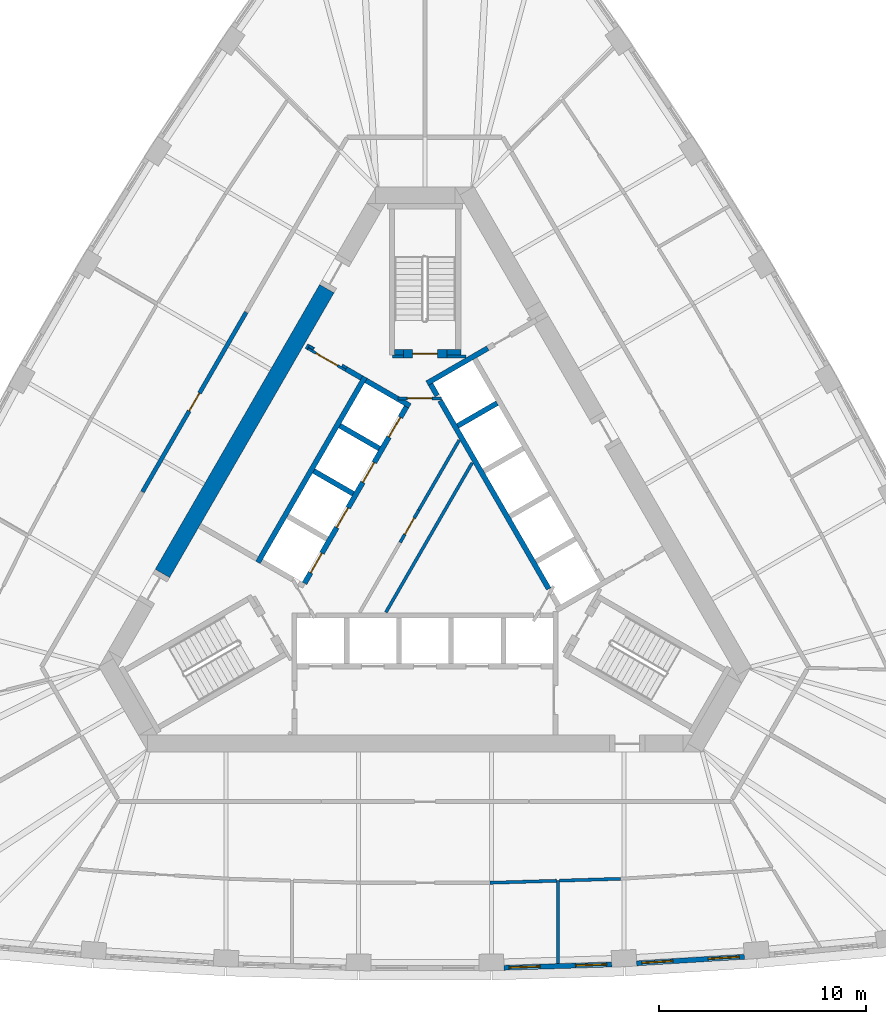
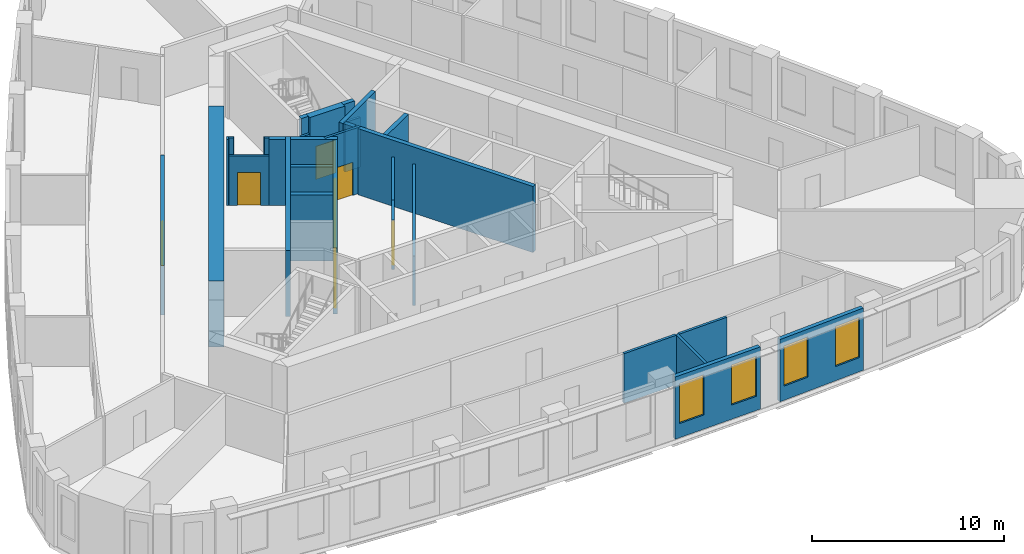
# One storey, part 5 of 10: 30 walls, 9 doors, 4 windows, 13 openings.
"""IFC4 building model written with IfcOpenShell, lengths in metres."""

from ifc_helpers import new_model, si_unit, direction, frame, frame_2d, origin, place, context, subcontext, project, spatial, polyline, rectangle, outline, extrude, material, layer, layer_set, type_object, element, fill, save


model = new_model("IFC4")

# Units and contexts
model_context = context("Model", 3, precision=1e-05, world=origin(), true_north=direction((0.0, 1.0)))
body_context = subcontext(model_context, "Body", "Model", "MODEL_VIEW")
ifc_project = project(units=[si_unit("LENGTHUNIT", "METRE"), si_unit("AREAUNIT", "SQUARE_METRE"), si_unit("VOLUMEUNIT", "CUBIC_METRE"), si_unit("PLANEANGLEUNIT", "RADIAN"), si_unit("MASSUNIT", "GRAM", prefix="KILO")], contexts=[model_context])

# Site, building, storey
site_placement = place(None, origin())
site = spatial("IfcSite", under=ifc_project, at=site_placement, CompositionType="ELEMENT")
building_placement = place(site_placement, origin())
building = spatial("IfcBuilding", under=site, at=building_placement, Name="Mestral Congress Tower", CompositionType="ELEMENT")
storey_placement = place(building_placement, frame((0.0, 0.0, 150.0)))
storey = spatial("IfcBuildingStorey", under=building, at=storey_placement, Name="L35", CompositionType="ELEMENT", Elevation=150.0)

# Walls
ifc_material_1 = material(Name="Fire-rated board partition")
ifc_layer_1 = layer(ifc_material_1, 0.14990234375)
ifc_layer_set_1 = layer_set([ifc_layer_1], Name="Fire-rated board partition")
wall_type_1 = type_object("IfcWallType", Name="Core partition 150", PredefinedType="PARTITIONING", material=ifc_layer_set_1)
wall_1_placement = place(storey_placement, frame((1.050048828125, 8.62548828125, 0.0), z_axis=(0.0, 0.0, 1.0), x_axis=(1.0, 0.0, 0.0)))
element("IfcWall", 1, at=wall_1_placement, inside=storey, type_object=wall_type_1, Name="L35 core wall", PredefinedType="PARTITIONING", context=body_context, shape_type="SweptSolid", body=[
    extrude(rectangle(XDim=0.9287109375, YDim=0.14990234375, at=frame_2d((0.46435546875, 0.0))), origin(), (0.0, 0.0, 1.0), 3.14990234375),
])
wall_2_placement = place(storey_placement, frame((-1.56396484375, 8.62548828125, 0.0), z_axis=(0.0, 0.0, 1.0), x_axis=(1.0, 0.0, 0.0)))
element("IfcWall", 2, at=wall_2_placement, inside=storey, type_object=wall_type_1, Name="L35 core wall", PredefinedType="PARTITIONING", context=body_context, shape_type="SweptSolid", body=[
    extrude(rectangle(XDim=0.513916015625, YDim=0.14990234375, at=frame_2d((0.2568359375, 0.0))), origin(), (0.0, 0.0, 1.0), 3.14990234375),
])
wall_3_placement = place(storey_placement, frame((-1.886962890625, -3.71826171875, 0.0), z_axis=(0.0, 0.0, 1.0), x_axis=(0.500005008002, 0.866022512394, 0.0)))
element("IfcWall", 3, at=wall_3_placement, inside=storey, type_object=wall_type_1, Name="L35 core wall", PredefinedType="PARTITIONING", context=body_context, shape_type="SweptSolid", body=[
    extrude(rectangle(XDim=8.3271484375, YDim=0.14990234375, at=frame_2d((4.16357421875, 0.0))), origin(), (0.0, 0.0, 1.0), 3.14990234375),
])
wall_4_placement = place(storey_placement, frame((-0.2998046875, 1.21240234375, 0.0), z_axis=(0.0, 0.0, 1.0), x_axis=(0.499963101113, 0.866046706318, 0.0)))
element("IfcWall", 4, at=wall_4_placement, inside=storey, type_object=wall_type_1, Name="L35 core wall", PredefinedType="PARTITIONING", context=body_context, shape_type="SweptSolid", body=[
    extrude(rectangle(XDim=3.893310546875, YDim=0.14990234375, at=frame_2d((1.94677734375, 0.0))), origin(), (0.0, 0.0, 1.0), 3.14990234375),
])

# Wall, opening, door
wall_5_placement = place(storey_placement, frame((-1.199951171875, -0.346435546875, 0.0), z_axis=(0.0, 0.0, 1.0), x_axis=(0.499961193289, 0.866047807691, 0.0)))
wall_5 = element("IfcWall", 5, at=wall_5_placement, inside=storey, type_object=wall_type_1, Name="L35 door wall", PredefinedType="PARTITIONING", context=body_context, shape_type="SweptSolid", body=[
    extrude(rectangle(XDim=1.800048828125, YDim=0.14990234375, at=frame_2d((0.89990234375, 0.0))), origin(), (0.0, 0.0, 1.0), 3.14990234375),
])
opening_1_placement = place(wall_5_placement, frame((0.449951171875, 0.0, 0.0)))
opening_1 = element("IfcOpeningElement", 6, at=opening_1_placement, cuts=wall_5, Name="Opening SD-HUB1", PredefinedType="OPENING", context=body_context, shape_type="SweptSolid", body=[
    extrude(rectangle(XDim=0.89990234375, YDim=2.10009765625, at=frame_2d((0.449951171875, 1.050048828125))), frame((0.0, 0.0849609375, 0.0), z_axis=(0.0, -1.0, 0.0), x_axis=(1.0, 0.0, 0.0)), (0.0, 0.0, 1.0), 0.169921875),
])
ifc_material_2 = material(Name="Fire-rated steel door set", Category="steel")
door_type_1 = type_object("IfcDoorType", Name="Core door SR 900x2100", OperationType="SINGLE_SWING_LEFT", PredefinedType="DOOR", material=ifc_material_2)
door_1_placement = place(opening_1_placement, origin())
door_1 = element("IfcDoor", 7, at=door_1_placement, inside=storey, type_object=door_type_1, Name="Door SD-HUB1", OperationType="SINGLE_SWING_LEFT", OverallHeight=2.10009765625, OverallWidth=0.89990234375, PredefinedType="DOOR", context=body_context, shape_type="SweptSolid", body=[
    extrude(rectangle(XDim=0.89990234375, YDim=2.10009765625, at=frame_2d((0.449951171875, 1.050048828125))), frame((0.0, 0.02490234375, 0.0), z_axis=(0.0, -1.0, 0.0), x_axis=(1.0, 0.0, 0.0)), (0.0, 0.0, 1.0), 0.050048828125),
])
fill(opening_1, door_1)

ifc_layer_2 = layer(ifc_material_1, 0.1201171875)
ifc_layer_set_2 = layer_set([ifc_layer_2], Name="Fire-rated board partition")
wall_type_2 = type_object("IfcWallType", Name="Core partition 150 door-wall 120", PredefinedType="PARTITIONING", material=ifc_layer_set_2)
wall_6_placement = place(storey_placement, frame((-5.65869140625, 9.01171875, 0.0), z_axis=(0.0, 0.0, 1.0), x_axis=(0.866009402589, -0.500027713859, 0.0)))
wall_6 = element("IfcWall", 8, at=wall_6_placement, inside=storey, type_object=wall_type_2, Name="L35 door wall", PredefinedType="PARTITIONING", context=body_context, shape_type="SweptSolid", body=[
    extrude(rectangle(XDim=2.10009765625, YDim=0.1201171875, at=frame_2d((1.050048828125, 0.0))), origin(), (0.0, 0.0, 1.0), 3.14990234375),
])
opening_2_placement = place(wall_6_placement, frame((0.449951171875, 0.0, 0.0)))
opening_2 = element("IfcOpeningElement", 9, at=opening_2_placement, cuts=wall_6, Name="Opening LB2-WL2", PredefinedType="OPENING", context=body_context, shape_type="SweptSolid", body=[
    extrude(rectangle(XDim=1.199951171875, YDim=2.10009765625, at=frame_2d((0.60009765625, 1.050048828125))), frame((0.0, 0.070068359375, 0.0), z_axis=(0.0, -1.0, 0.0), x_axis=(1.0, 0.0, 0.0)), (0.0, 0.0, 1.0), 0.14013671875),
])
door_type_2 = type_object("IfcDoorType", Name="Core door LB 1200x2100", OperationType="SINGLE_SWING_LEFT", PredefinedType="DOOR", material=ifc_material_2)
door_2_placement = place(opening_2_placement, origin())
door_2 = element("IfcDoor", 10, at=door_2_placement, inside=storey, type_object=door_type_2, Name="Door LB2-WL2", OperationType="SINGLE_SWING_LEFT", OverallHeight=2.10009765625, OverallWidth=1.199951171875, PredefinedType="DOOR", context=body_context, shape_type="SweptSolid", body=[
    extrude(rectangle(XDim=1.199951171875, YDim=2.10009765625, at=frame_2d((0.60009765625, 1.050048828125))), frame((0.0, 0.02490234375, 0.0), z_axis=(0.0, -1.0, 0.0), x_axis=(1.0, 0.0, 0.0)), (0.0, 0.0, 1.0), 0.050048828125),
])
fill(opening_2, door_2)

# Wall
ifc_material_3 = material(Name="Concrete C60/75", Category="concrete")
ifc_layer_3 = layer(ifc_material_3, 0.800048828125)
ifc_layer_set_3 = layer_set([ifc_layer_3], Name="Concrete C60/75")
wall_type_3 = type_object("IfcWallType", Name="Core wall RC 800", PredefinedType="SOLIDWALL", material=ifc_layer_set_3)
wall_7_placement = place(storey_placement, frame((-12.668212890625, -1.841796875, 0.0), z_axis=(0.0, 0.0, 1.0), x_axis=(0.500003640647, 0.866023301845, 0.0)))
element("IfcWall", 11, at=wall_7_placement, inside=storey, type_object=wall_type_3, Name="L35 core wall", PredefinedType="SOLIDWALL", context=body_context, shape_type="SweptSolid", body=[
    extrude(rectangle(XDim=15.8583984375, YDim=0.800048828125, at=frame_2d((7.92919921875, 0.0))), origin(), (0.0, 0.0, 1.0), 4.199951171875),
])

# Wall, openings, windows
ifc_material_4 = material(Name="Precast concrete C40/50 with limestone facing", Category="masonry")
ifc_layer_4 = layer(ifc_material_4, 0.239990234375)
ifc_layer_set_4 = layer_set([ifc_layer_4], Name="Precast concrete C40/50 with limestone facing")
wall_type_4 = type_object("IfcWallType", Name="Facade stone wall 240", PredefinedType="SOLIDWALL", material=ifc_layer_set_4)
wall_8_placement = place(storey_placement, frame((3.80615234375, -20.869873046875, 0.0), z_axis=(0.0, 0.0, 1.0), x_axis=(0.999533441983, 0.030543384845, 0.0)))
wall_8 = element("IfcWall", 12, at=wall_8_placement, inside=storey, type_object=wall_type_4, Name="Facade wall F0-04", PredefinedType="SOLIDWALL", context=body_context, shape_type="SweptSolid", body=[
    extrude(rectangle(XDim=5.20361328125, YDim=0.239990234375, at=frame_2d((2.601806640625, 0.0))), origin(), (0.0, 0.0, 1.0), 3.949951171875),
])
opening_3_placement = place(wall_8_placement, frame((0.248291015625, 0.0, 0.89990234375)))
opening_3 = element("IfcOpeningElement", 13, at=opening_3_placement, cuts=wall_8, Name="Opening W4", PredefinedType="OPENING", context=body_context, shape_type="SweptSolid", body=[
    extrude(rectangle(XDim=1.5, YDim=2.550048828125, at=frame_2d((0.75, 1.27490234375))), frame((0.0, 0.1298828125, 0.0), z_axis=(0.0, -1.0, 0.0), x_axis=(1.0, 0.0, 0.0)), (0.0, 0.0, 1.0), 0.260009765625),
])
opening_4_placement = place(wall_8_placement, frame((3.455078125, 0.0, 0.89990234375)))
opening_4 = element("IfcOpeningElement", 14, at=opening_4_placement, cuts=wall_8, Name="Opening W4", PredefinedType="OPENING", context=body_context, shape_type="SweptSolid", body=[
    extrude(rectangle(XDim=1.5, YDim=2.550048828125, at=frame_2d((0.75, 1.27490234375))), frame((0.0, 0.1298828125, 0.0), z_axis=(0.0, -1.0, 0.0), x_axis=(1.0, 0.0, 0.0)), (0.0, 0.0, 1.0), 0.260009765625),
])
ifc_material_5 = material(Name="Clear low-emissivity double glazing", Category="glass")
window_type = type_object("IfcWindowType", Name="Facade punched window 1500 x 2550 sill 900", PartitioningType="SINGLE_PANEL", PredefinedType="WINDOW", material=ifc_material_5)
window_1_placement = place(opening_3_placement, origin())
window_1 = element("IfcWindow", 15, at=window_1_placement, inside=storey, type_object=window_type, Name="Window F0-04a", OverallHeight=2.550048828125, OverallWidth=1.5, PartitioningType="SINGLE_PANEL", PredefinedType="WINDOW", context=body_context, shape_type="SweptSolid", body=[
    extrude(rectangle(XDim=1.5, YDim=2.550048828125, at=frame_2d((0.75, 1.27490234375))), frame((0.0, 0.0400390625, 0.0), z_axis=(0.0, -1.0, 0.0), x_axis=(1.0, 0.0, 0.0)), (0.0, 0.0, 1.0), 0.06005859375),
])
fill(opening_3, window_1)
window_2_placement = place(opening_4_placement, origin())
window_2 = element("IfcWindow", 16, at=window_2_placement, inside=storey, type_object=window_type, Name="Window F0-04b", OverallHeight=2.550048828125, OverallWidth=1.5, PartitioningType="SINGLE_PANEL", PredefinedType="WINDOW", context=body_context, shape_type="SweptSolid", body=[
    extrude(rectangle(XDim=1.5, YDim=2.550048828125, at=frame_2d((0.75, 1.27490234375))), frame((0.0, 0.0400390625, 0.0), z_axis=(0.0, -1.0, 0.0), x_axis=(1.0, 0.0, 0.0)), (0.0, 0.0, 1.0), 0.06005859375),
])
fill(opening_4, window_2)

wall_9_placement = place(storey_placement, frame((10.210693359375, -20.656005859375, 0.0), z_axis=(0.0, 0.0, 1.0), x_axis=(0.998135294646, 0.061040425794, 0.0)))
wall_9 = element("IfcWall", 17, at=wall_9_placement, inside=storey, type_object=wall_type_4, Name="Facade wall F0-05", PredefinedType="SOLIDWALL", context=body_context, shape_type="SweptSolid", body=[
    extrude(rectangle(XDim=5.20361328125, YDim=0.239990234375, at=frame_2d((2.601806640625, 0.0))), origin(), (0.0, 0.0, 1.0), 3.949951171875),
])
opening_5_placement = place(wall_9_placement, frame((0.248291015625, 0.0, 0.89990234375)))
opening_5 = element("IfcOpeningElement", 18, at=opening_5_placement, cuts=wall_9, Name="Opening W4", PredefinedType="OPENING", context=body_context, shape_type="SweptSolid", body=[
    extrude(rectangle(XDim=1.5, YDim=2.550048828125, at=frame_2d((0.75, 1.27490234375))), frame((0.0, 0.1298828125, 0.0), z_axis=(0.0, -1.0, 0.0), x_axis=(1.0, 0.0, 0.0)), (0.0, 0.0, 1.0), 0.260009765625),
])
opening_6_placement = place(wall_9_placement, frame((3.455078125, 0.0, 0.89990234375)))
opening_6 = element("IfcOpeningElement", 19, at=opening_6_placement, cuts=wall_9, Name="Opening W4", PredefinedType="OPENING", context=body_context, shape_type="SweptSolid", body=[
    extrude(rectangle(XDim=1.5, YDim=2.550048828125, at=frame_2d((0.75, 1.27490234375))), frame((0.0, 0.1298828125, 0.0), z_axis=(0.0, -1.0, 0.0), x_axis=(1.0, 0.0, 0.0)), (0.0, 0.0, 1.0), 0.260009765625),
])
window_3_placement = place(opening_5_placement, origin())
window_3 = element("IfcWindow", 20, at=window_3_placement, inside=storey, type_object=window_type, Name="Window F0-05a", OverallHeight=2.550048828125, OverallWidth=1.5, PartitioningType="SINGLE_PANEL", PredefinedType="WINDOW", context=body_context, shape_type="SweptSolid", body=[
    extrude(rectangle(XDim=1.5, YDim=2.550048828125, at=frame_2d((0.75, 1.27490234375))), frame((0.0, 0.0400390625, 0.0), z_axis=(0.0, -1.0, 0.0), x_axis=(1.0, 0.0, 0.0)), (0.0, 0.0, 1.0), 0.06005859375),
])
fill(opening_5, window_3)
window_4_placement = place(opening_6_placement, origin())
window_4 = element("IfcWindow", 21, at=window_4_placement, inside=storey, type_object=window_type, Name="Window F0-05b", OverallHeight=2.550048828125, OverallWidth=1.5, PartitioningType="SINGLE_PANEL", PredefinedType="WINDOW", context=body_context, shape_type="SweptSolid", body=[
    extrude(rectangle(XDim=1.5, YDim=2.550048828125, at=frame_2d((0.75, 1.27490234375))), frame((0.0, 0.0400390625, 0.0), z_axis=(0.0, -1.0, 0.0), x_axis=(1.0, 0.0, 0.0)), (0.0, 0.0, 1.0), 0.06005859375),
])
fill(opening_6, window_4)

# Walls
ifc_material_6 = material(Name="Plasterboard partition on steel studs", Category="steel")
ifc_layer_5 = layer(ifc_material_6, 0.14990234375)
ifc_layer_set_5 = layer_set([ifc_layer_5], Name="Plasterboard partition on steel studs")
wall_type_5 = type_object("IfcWallType", Name="Office partition 150", PredefinedType="PARTITIONING", material=ifc_layer_set_5)
wall_10_placement = place(storey_placement, frame((6.412109375, -16.668212890625, 0.0), z_axis=(0.0, 0.0, 1.0), x_axis=(0.0, -1.0, 0.0)))
element("IfcWall", 22, at=wall_10_placement, inside=storey, type_object=wall_type_5, Name="Partition", PredefinedType="PARTITIONING", context=body_context, shape_type="SweptSolid", body=[
    extrude(rectangle(XDim=4.001953125, YDim=0.14990234375, at=frame_2d((2.0009765625, 0.0))), origin(), (0.0, 0.0, 1.0), 3.14990234375),
])
wall_11_placement = place(storey_placement, frame((3.141357421875, -16.768310546875, 0.0), z_axis=(0.0, 0.0, 1.0), x_axis=(0.999533369646, 0.030545751995, 0.0)))
element("IfcWall", 23, at=wall_11_placement, inside=storey, type_object=wall_type_5, Name="Partition", PredefinedType="PARTITIONING", context=body_context, shape_type="SweptSolid", body=[
    extrude(rectangle(XDim=3.197021484375, YDim=0.14990234375, at=frame_2d((1.5986328125, 0.0))), origin(), (0.0, 0.0, 1.0), 3.14990234375),
])
wall_12_placement = place(storey_placement, frame((6.487060546875, -16.666015625, 0.0), z_axis=(0.0, 0.0, 1.0), x_axis=(0.999533978083, 0.030525835896, 0.0)))
element("IfcWall", 24, at=wall_12_placement, inside=storey, type_object=wall_type_5, Name="Partition", PredefinedType="PARTITIONING", context=body_context, shape_type="SweptSolid", body=[
    extrude(rectangle(XDim=2.935302734375, YDim=0.14990234375, at=frame_2d((1.4677734375, 0.0))), origin(), (0.0, 0.0, 1.0), 3.14990234375),
])

# Wall, opening, door
ifc_material_7 = material(Name="Dense masonry wall, plastered", Category="masonry")
ifc_layer_6 = layer(ifc_material_7, 0.199951171875)
ifc_layer_set_6 = layer_set([ifc_layer_6], Name="Dense masonry wall, plastered")
wall_type_6 = type_object("IfcWallType", Name="Office tenancy wall 200", PredefinedType="PARTITIONING", material=ifc_layer_set_6)
wall_13_placement = place(storey_placement, frame((-8.62841796875, 10.755126953125, 0.0), z_axis=(0.0, 0.0, 1.0), x_axis=(-0.500004234368, -0.866022959057, 0.0)))
wall_13 = element("IfcWall", 25, at=wall_13_placement, inside=storey, type_object=wall_type_6, Name="Tenancy wall", PredefinedType="PARTITIONING", context=body_context, shape_type="SweptSolid", body=[
    extrude(rectangle(XDim=10.0, YDim=0.199951171875, at=frame_2d((5.0, 0.0))), origin(), (0.0, 0.0, 1.0), 3.14990234375),
])
opening_7_placement = place(wall_13_placement, frame((4.5, 0.0, 0.0)))
opening_7 = element("IfcOpeningElement", 26, at=opening_7_placement, cuts=wall_13, Name="Opening O01-017", PredefinedType="OPENING", context=body_context, shape_type="SweptSolid", body=[
    extrude(rectangle(XDim=1.0, YDim=2.10009765625, at=frame_2d((0.5, 1.050048828125))), frame((0.0, 0.10986328125, 0.0), z_axis=(0.0, -1.0, 0.0), x_axis=(1.0, 0.0, 0.0)), (0.0, 0.0, 1.0), 0.219970703125),
])
ifc_material_8 = material(Name="Fire-rated timber door set", Category="wood")
door_type_3 = type_object("IfcDoorType", Name="Office tenancy entrance door 1000x2100", OperationType="SINGLE_SWING_LEFT", PredefinedType="DOOR", material=ifc_material_8)
door_3_placement = place(opening_7_placement, origin())
door_3 = element("IfcDoor", 27, at=door_3_placement, inside=storey, type_object=door_type_3, Name="Door O01-017", OperationType="SINGLE_SWING_LEFT", OverallHeight=2.10009765625, OverallWidth=1.0, PredefinedType="DOOR", context=body_context, shape_type="SweptSolid", body=[
    extrude(rectangle(XDim=1.0, YDim=2.10009765625, at=frame_2d((0.5, 1.050048828125))), frame((0.0, 0.02490234375, 0.0), z_axis=(0.0, -1.0, 0.0), x_axis=(1.0, 0.0, 0.0)), (0.0, 0.0, 1.0), 0.050048828125),
])
fill(opening_7, door_3)

# Walls
ifc_layer_7 = layer(ifc_material_3, 0.25)
ifc_layer_set_7 = layer_set([ifc_layer_7], Name="Concrete C60/75")
wall_type_7 = type_object("IfcWallType", Name="Shaft wall RC 250", PredefinedType="SOLIDWALL", material=ifc_layer_set_7)
wall_14_placement = place(storey_placement, frame((3.02783203125, 9.022705078125, 0.0), z_axis=(0.0, 0.0, 1.0), x_axis=(-0.866036587186, -0.49998062928, 0.0)))
element("IfcWall", 28, at=wall_14_placement, inside=storey, type_object=wall_type_7, Name="L35 core wall", PredefinedType="SOLIDWALL", context=body_context, shape_type="SweptSolid", body=[
    extrude(rectangle(XDim=3.383544921875, YDim=0.25, at=frame_2d((1.69189453125, 0.0))), origin(), (0.0, 0.0, 1.0), 4.199951171875),
])
wall_15_placement = place(storey_placement, frame((0.268310546875, 7.28515625, 0.0), z_axis=(0.0, 0.0, 1.0), x_axis=(0.500098681536, -0.865968422476, 0.0)))
element("IfcWall", 29, at=wall_15_placement, inside=storey, type_object=wall_type_7, Name="L35 core wall", PredefinedType="SOLIDWALL", context=body_context, shape_type="SweptSolid", body=[
    extrude(rectangle(XDim=0.636474609375, YDim=0.25, at=frame_2d((0.318359375, 0.0))), origin(), (0.0, 0.0, 1.0), 4.199951171875),
])
wall_16_placement = place(storey_placement, frame((5.970458984375, -2.591064453125, 0.0), z_axis=(0.0, 0.0, 1.0), x_axis=(-0.499994469932, 0.866028596547, 0.0)))
element("IfcWall", 30, at=wall_16_placement, inside=storey, type_object=wall_type_7, Name="L35 core wall", PredefinedType="SOLIDWALL", context=body_context, shape_type="SweptSolid", body=[
    extrude(rectangle(XDim=10.48828125, YDim=0.25, at=frame_2d((5.244140625, 0.0))), origin(), (0.0, 0.0, 1.0), 4.199951171875),
])
wall_17_placement = place(storey_placement, frame((1.57421875, 5.273681640625, 0.0), z_axis=(0.0, 0.0, 1.0), x_axis=(0.866028486751, 0.499994660107, 0.0)))
element("IfcWall", 31, at=wall_17_placement, inside=storey, type_object=wall_type_7, Name="L35 core wall", PredefinedType="SOLIDWALL", context=body_context, shape_type="SweptSolid", body=[
    extrude(rectangle(XDim=2.19970703125, YDim=0.25, at=frame_2d((1.099853515625, 0.0))), origin(), (0.0, 0.0, 1.0), 4.199951171875),
])
wall_18_placement = place(storey_placement, frame((-8.06005859375, -1.310546875, 0.0), z_axis=(0.0, 0.0, 1.0), x_axis=(0.50000273126, 0.866023826885, 0.0)))
element("IfcWall", 32, at=wall_18_placement, inside=storey, type_object=wall_type_7, Name="L35 core wall", PredefinedType="SOLIDWALL", context=body_context, shape_type="SweptSolid", body=[
    extrude(rectangle(XDim=10.330078125, YDim=0.25, at=frame_2d((5.1650390625, 0.0))), origin(), (0.0, 0.0, 1.0), 4.199951171875),
])
placement = place(storey_placement, origin())
element("IfcWall", 33, at=placement, inside=storey, type_object=wall_type_7, Name="L35 core wall", PredefinedType="SOLIDWALL", context=body_context, shape_type="SweptSolid", body=[
    extrude(outline(polyline([(-2.911865234375, 7.3564453125), (-2.786865234375, 7.572998046875), (-1.231689453125, 6.675048828125), (-1.303466796875, 6.675048828125), (-1.3037109375, 6.675048828125), (-1.3037109375, 6.675048828125), (-1.3037109375, 6.52490234375), (-1.3037109375, 6.52490234375), (-1.303466796875, 6.52490234375), (-0.971435546875, 6.52490234375), (-0.6650390625, 6.347900390625), (-0.7900390625, 6.131591796875), (-1.006591796875, 6.256591796875), (-1.006591796875, 6.256591796875), (-2.911865234375, 7.3564453125)])), origin(), (0.0, 0.0, 1.0), 4.199951171875),
])
for number, where, z_axis, x_axis, name in (
    (34, (-2.2041015625, 4.182373046875, 0.0), (0.0, 0.0, 1.0), (-0.866008176907, 0.50002983664, 0.0), "L35 core wall"),
    (35, (-5.369384765625, 3.10009765625, 0.0), (0.0, 0.0, 1.0), (0.866008176907, -0.50002983664, 0.0), "L35 core wall"),
):
    element("IfcWall", number, at=place(storey_placement, frame(where, z_axis=z_axis, x_axis=x_axis)), inside=storey, type_object=wall_type_7, Name=name, PredefinedType="SOLIDWALL", context=body_context, shape_type="SweptSolid", body=[
        extrude(rectangle(XDim=2.199951171875, YDim=0.25, at=frame_2d((1.10009765625, 0.0))), origin(), (0.0, 0.0, 1.0), 4.199951171875),
    ])
wall_20_placement = place(storey_placement, frame((-5.724609375, 9.124755859375, 0.0), z_axis=(0.0, 0.0, 1.0), x_axis=(0.866185586049, -0.49972245349, 0.0)))
element("IfcWall", 36, at=wall_20_placement, inside=storey, type_object=wall_type_7, Name="L35 core wall", PredefinedType="SOLIDWALL", context=body_context, shape_type="SweptSolid", body=[
    extrude(rectangle(XDim=0.10986328125, YDim=0.25, at=frame_2d((0.054931640625, 0.0))), origin(), (0.0, 0.0, 1.0), 4.199951171875),
])
wall_21_placement = place(storey_placement, frame((-3.06591796875, 7.58984375, 0.0), z_axis=(0.0, 0.0, 1.0), x_axis=(-0.866081358704, 0.49990307071, 0.0)))
element("IfcWall", 37, at=wall_21_placement, inside=storey, type_object=wall_type_7, Name="L35 core wall", PredefinedType="SOLIDWALL", context=body_context, shape_type="SweptSolid", body=[
    extrude(rectangle(XDim=0.858154296875, YDim=0.25, at=frame_2d((0.42919921875, 0.0))), origin(), (0.0, 0.0, 1.0), 4.199951171875),
])
element("IfcWall", 38, at=placement, inside=storey, type_object=wall_type_7, Name="L35 core wall", PredefinedType="SOLIDWALL", context=body_context, shape_type="SweptSolid", body=[
    extrude(outline(polyline([(-3.748291015625, 8.1279296875), (-3.813232421875, 8.015380859375), (-4.026611328125, 8.138671875), (-4.0166015625, 8.156005859375), (-4.007568359375, 8.17333984375), (-4.000244140625, 8.191650390625), (-3.994873046875, 8.21044921875), (-3.991455078125, 8.229736328125), (-3.98974609375, 8.24951171875), (-3.989990234375, 8.267578125), (-3.748291015625, 8.1279296875)])), origin(), (0.0, 0.0, 1.0), 4.199951171875),
])
element("IfcWall", 39, at=placement, inside=storey, type_object=wall_type_7, Name="L35 core wall", PredefinedType="SOLIDWALL", context=body_context, shape_type="SweptSolid", body=[
    extrude(outline(polyline([(-5.688720703125, 8.959716796875), (-5.690185546875, 8.960693359375), (-5.565185546875, 9.177001953125), (-5.318603515625, 9.03466796875), (-5.334716796875, 9.02587890625), (-5.3505859375, 9.0146484375), (-5.36572265625, 9.001953125), (-5.37939453125, 8.98779296875), (-5.3916015625, 8.972412109375), (-5.402099609375, 8.955810546875), (-5.412109375, 8.938720703125), (-5.628662109375, 9.063720703125), (-5.628662109375, 9.063720703125), (-5.688720703125, 8.959716796875)])), origin(), (0.0, 0.0, 1.0), 4.199951171875),
])

# Wall, openings, doors
wall_24_placement = place(storey_placement, frame((-0.898193359375, 6.194091796875, 0.0), z_axis=(0.0, 0.0, 1.0), x_axis=(-0.499996202215, -0.866027596426, 0.0)))
wall_24 = element("IfcWall", 40, at=wall_24_placement, inside=storey, type_object=wall_type_7, Name="L35 door wall", PredefinedType="SOLIDWALL", context=body_context, shape_type="SweptSolid", body=[
    extrude(rectangle(XDim=9.830078125, YDim=0.25, at=frame_2d((4.9150390625, 0.0))), origin(), (0.0, 0.0, 1.0), 4.199951171875),
])
opening_8_placement = place(wall_24_placement, frame((0.5849609375, 0.0, 0.0)))
opening_8 = element("IfcOpeningElement", 41, at=opening_8_placement, cuts=wall_24, Name="Opening LD-NWB1", PredefinedType="OPENING", context=body_context, shape_type="SweptSolid", body=[
    extrude(rectangle(XDim=1.10009765625, YDim=2.10009765625, at=frame_2d((0.550048828125, 1.050048828125))), frame((0.0, 0.135009765625, 0.0), z_axis=(0.0, -1.0, 0.0), x_axis=(1.0, 0.0, 0.0)), (0.0, 0.0, 1.0), 0.27001953125),
])
opening_9_placement = place(wall_24_placement, frame((3.10498046875, 0.0, 0.0)))
opening_9 = element("IfcOpeningElement", 42, at=opening_9_placement, cuts=wall_24, Name="Opening LD-NWB2", PredefinedType="OPENING", context=body_context, shape_type="SweptSolid", body=[
    extrude(rectangle(XDim=1.10009765625, YDim=2.10009765625, at=frame_2d((0.550048828125, 1.050048828125))), frame((0.0, 0.135009765625, 0.0), z_axis=(0.0, -1.0, 0.0), x_axis=(1.0, 0.0, 0.0)), (0.0, 0.0, 1.0), 0.27001953125),
])
opening_10_placement = place(wall_24_placement, frame((5.625, 0.0, 0.0)))
opening_10 = element("IfcOpeningElement", 43, at=opening_10_placement, cuts=wall_24, Name="Opening LD-NWB3", PredefinedType="OPENING", context=body_context, shape_type="SweptSolid", body=[
    extrude(rectangle(XDim=1.10009765625, YDim=2.10009765625, at=frame_2d((0.550048828125, 1.050048828125))), frame((0.0, 0.135009765625, 0.0), z_axis=(0.0, -1.0, 0.0), x_axis=(1.0, 0.0, 0.0)), (0.0, 0.0, 1.0), 0.27001953125),
])
opening_11_placement = place(wall_24_placement, frame((8.14501953125, 0.0, 0.0)))
opening_11 = element("IfcOpeningElement", 44, at=opening_11_placement, cuts=wall_24, Name="Opening LD-NWB4", PredefinedType="OPENING", context=body_context, shape_type="SweptSolid", body=[
    extrude(rectangle(XDim=1.10009765625, YDim=2.10009765625, at=frame_2d((0.550048828125, 1.050048828125))), frame((0.0, 0.135009765625, 0.0), z_axis=(0.0, -1.0, 0.0), x_axis=(1.0, 0.0, 0.0)), (0.0, 0.0, 1.0), 0.27001953125),
])
door_type_4 = type_object("IfcDoorType", Name="Core door LD 1100x2100", OperationType="DOUBLE_DOOR_SLIDING", PredefinedType="DOOR", material=ifc_material_2)
door_4_placement = place(opening_8_placement, origin())
door_4 = element("IfcDoor", 45, at=door_4_placement, inside=storey, type_object=door_type_4, Name="Door LD-NWB1", OperationType="DOUBLE_DOOR_SLIDING", OverallHeight=2.10009765625, OverallWidth=1.10009765625, PredefinedType="DOOR", context=body_context, shape_type="SweptSolid", body=[
    extrude(rectangle(XDim=1.10009765625, YDim=2.10009765625, at=frame_2d((0.550048828125, 1.050048828125))), frame((0.0, 0.02490234375, 0.0), z_axis=(0.0, -1.0, 0.0), x_axis=(1.0, 0.0, 0.0)), (0.0, 0.0, 1.0), 0.050048828125),
])
fill(opening_8, door_4)
door_5_placement = place(opening_9_placement, origin())
door_5 = element("IfcDoor", 46, at=door_5_placement, inside=storey, type_object=door_type_4, Name="Door LD-NWB2", OperationType="DOUBLE_DOOR_SLIDING", OverallHeight=2.10009765625, OverallWidth=1.10009765625, PredefinedType="DOOR", context=body_context, shape_type="SweptSolid", body=[
    extrude(rectangle(XDim=1.10009765625, YDim=2.10009765625, at=frame_2d((0.550048828125, 1.050048828125))), frame((0.0, 0.02490234375, 0.0), z_axis=(0.0, -1.0, 0.0), x_axis=(1.0, 0.0, 0.0)), (0.0, 0.0, 1.0), 0.050048828125),
])
fill(opening_9, door_5)
door_6_placement = place(opening_10_placement, origin())
door_6 = element("IfcDoor", 47, at=door_6_placement, inside=storey, type_object=door_type_4, Name="Door LD-NWB3", OperationType="DOUBLE_DOOR_SLIDING", OverallHeight=2.10009765625, OverallWidth=1.10009765625, PredefinedType="DOOR", context=body_context, shape_type="SweptSolid", body=[
    extrude(rectangle(XDim=1.10009765625, YDim=2.10009765625, at=frame_2d((0.550048828125, 1.050048828125))), frame((0.0, 0.02490234375, 0.0), z_axis=(0.0, -1.0, 0.0), x_axis=(1.0, 0.0, 0.0)), (0.0, 0.0, 1.0), 0.050048828125),
])
fill(opening_10, door_6)
door_7_placement = place(opening_11_placement, origin())
door_7 = element("IfcDoor", 48, at=door_7_placement, inside=storey, type_object=door_type_4, Name="Door LD-NWB4", OperationType="DOUBLE_DOOR_SLIDING", OverallHeight=2.10009765625, OverallWidth=1.10009765625, PredefinedType="DOOR", context=body_context, shape_type="SweptSolid", body=[
    extrude(rectangle(XDim=1.10009765625, YDim=2.10009765625, at=frame_2d((0.550048828125, 1.050048828125))), frame((0.0, 0.02490234375, 0.0), z_axis=(0.0, -1.0, 0.0), x_axis=(1.0, 0.0, 0.0)), (0.0, 0.0, 1.0), 0.050048828125),
])
fill(opening_11, door_7)

# Wall, opening, door
ifc_layer_8 = layer(ifc_material_3, 0.14990234375)
ifc_layer_set_8 = layer_set([ifc_layer_8], Name="Concrete C60/75")
wall_type_8 = type_object("IfcWallType", Name="Shaft wall RC 250 door-wall 150", PredefinedType="SOLIDWALL", material=ifc_layer_set_8)
wall_25_placement = place(storey_placement, frame((-1.303466796875, 6.60009765625, 0.0), z_axis=(0.0, 0.0, 1.0), x_axis=(1.0, 0.0, 0.0)))
wall_25 = element("IfcWall", 49, at=wall_25_placement, inside=storey, type_object=wall_type_8, Name="L35 door wall", PredefinedType="PARTITIONING", context=body_context, shape_type="SweptSolid", body=[
    extrude(rectangle(XDim=2.099853515625, YDim=0.14990234375, at=frame_2d((1.0498046875, 0.0))), origin(), (0.0, 0.0, 1.0), 4.199951171875),
])
opening_12_placement = place(wall_25_placement, frame((0.449951171875, 0.0, 0.0)))
opening_12 = element("IfcOpeningElement", 50, at=opening_12_placement, cuts=wall_25, Name="Opening CD2-FF", PredefinedType="OPENING", context=body_context, shape_type="SweptSolid", body=[
    extrude(rectangle(XDim=1.199951171875, YDim=2.10009765625, at=frame_2d((0.60009765625, 1.050048828125))), frame((0.0, 0.0849609375, 0.0), z_axis=(0.0, -1.0, 0.0), x_axis=(1.0, 0.0, 0.0)), (0.0, 0.0, 1.0), 0.169921875),
])
door_type_5 = type_object("IfcDoorType", Name="Core door CD 1200x2100", OperationType="SINGLE_SWING_LEFT", PredefinedType="DOOR", material=ifc_material_2)
door_8_placement = place(opening_12_placement, origin())
door_8 = element("IfcDoor", 51, at=door_8_placement, inside=storey, type_object=door_type_5, Name="Door CD2-FF", OperationType="SINGLE_SWING_LEFT", OverallHeight=2.10009765625, OverallWidth=1.199951171875, PredefinedType="DOOR", context=body_context, shape_type="SweptSolid", body=[
    extrude(rectangle(XDim=1.199951171875, YDim=2.10009765625, at=frame_2d((0.60009765625, 1.050048828125))), frame((0.0, 0.02490234375, 0.0), z_axis=(0.0, -1.0, 0.0), x_axis=(1.0, 0.0, 0.0)), (0.0, 0.0, 1.0), 0.050048828125),
])
fill(opening_12, door_8)

# Walls
ifc_layer_9 = layer(ifc_material_3, 0.25)
ifc_layer_set_9 = layer_set([ifc_layer_9], Name="Concrete C60/75")
wall_type_9 = type_object("IfcWallType", Name="Stair wall RC 250", PredefinedType="SOLIDWALL", material=ifc_layer_set_9)
wall_26_placement = place(storey_placement, frame((1.050048828125, 8.824951171875, 0.0), z_axis=(0.0, 0.0, 1.0), x_axis=(1.0, 0.0, 0.0)))
element("IfcWall", 52, at=wall_26_placement, inside=storey, type_object=wall_type_9, Name="L35 core wall", PredefinedType="SOLIDWALL", context=body_context, shape_type="SweptSolid", body=[
    extrude(rectangle(XDim=0.675048828125, YDim=0.25, at=frame_2d((0.33740234375, 0.0))), origin(), (0.0, 0.0, 1.0), 4.199951171875),
])
wall_27_placement = place(storey_placement, frame((-1.47509765625, 8.824951171875, 0.0), z_axis=(0.0, 0.0, 1.0), x_axis=(1.0, 0.0, 0.0)))
element("IfcWall", 53, at=wall_27_placement, inside=storey, type_object=wall_type_9, Name="L35 core wall", PredefinedType="SOLIDWALL", context=body_context, shape_type="SweptSolid", body=[
    extrude(rectangle(XDim=0.425048828125, YDim=0.25, at=frame_2d((0.21240234375, 0.0))), origin(), (0.0, 0.0, 1.0), 4.199951171875),
])

# Wall, opening, door
ifc_layer_10 = layer(ifc_material_3, 0.39990234375)
ifc_layer_set_10 = layer_set([ifc_layer_10], Name="Concrete C60/75")
wall_type_10 = type_object("IfcWallType", Name="Stair wall RC 250 door-wall 400", PredefinedType="SOLIDWALL", material=ifc_layer_set_10)
wall_28_placement = place(storey_placement, frame((1.050048828125, 8.75, 0.0), z_axis=(0.0, 0.0, 1.0), x_axis=(-1.0, 0.0, 0.0)))
wall_28 = element("IfcWall", 54, at=wall_28_placement, inside=storey, type_object=wall_type_10, Name="L35 door wall", PredefinedType="SOLIDWALL", context=body_context, shape_type="SweptSolid", body=[
    extrude(rectangle(XDim=2.10009765625, YDim=0.39990234375, at=frame_2d((1.050048828125, 0.0))), origin(), (0.0, 0.0, 1.0), 4.199951171875),
])
opening_13_placement = place(wall_28_placement, frame((0.449951171875, 0.0, 0.0)))
opening_13 = element("IfcOpeningElement", 55, at=opening_13_placement, cuts=wall_28, Name="Opening ST-D2", PredefinedType="OPENING", context=body_context, shape_type="SweptSolid", body=[
    extrude(rectangle(XDim=1.199951171875, YDim=2.10009765625, at=frame_2d((0.60009765625, 1.050048828125))), frame((0.0, 0.2099609375, 0.0), z_axis=(0.0, -1.0, 0.0), x_axis=(1.0, 0.0, 0.0)), (0.0, 0.0, 1.0), 0.419921875),
])
door_type_6 = type_object("IfcDoorType", Name="Core door ST 1200x2100", OperationType="SINGLE_SWING_LEFT", PredefinedType="DOOR", material=ifc_material_2)
door_9_placement = place(opening_13_placement, origin())
door_9 = element("IfcDoor", 56, at=door_9_placement, inside=storey, type_object=door_type_6, Name="Door ST-D2", OperationType="SINGLE_SWING_LEFT", OverallHeight=2.10009765625, OverallWidth=1.199951171875, PredefinedType="DOOR", context=body_context, shape_type="SweptSolid", body=[
    extrude(rectangle(XDim=1.199951171875, YDim=2.10009765625, at=frame_2d((0.60009765625, 1.050048828125))), frame((0.0, 0.02490234375, 0.0), z_axis=(0.0, -1.0, 0.0), x_axis=(1.0, 0.0, 0.0)), (0.0, 0.0, 1.0), 0.050048828125),
])
fill(opening_13, door_9)

save(model, "model.ifc")
